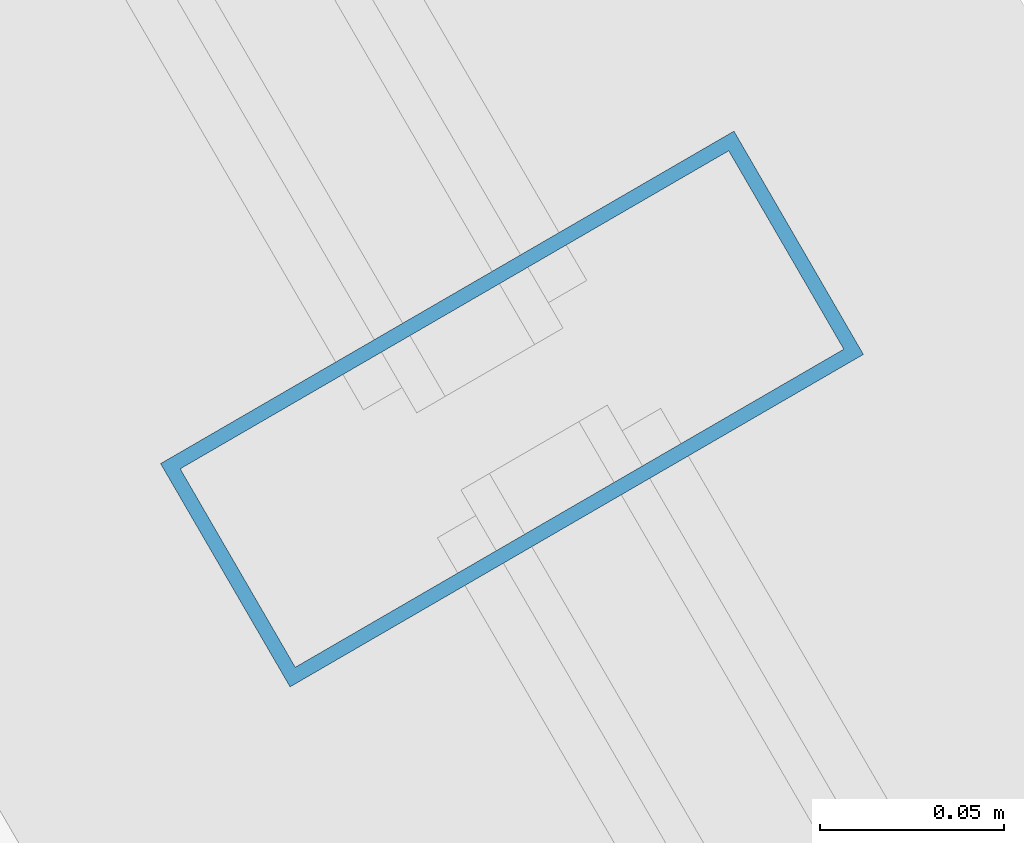
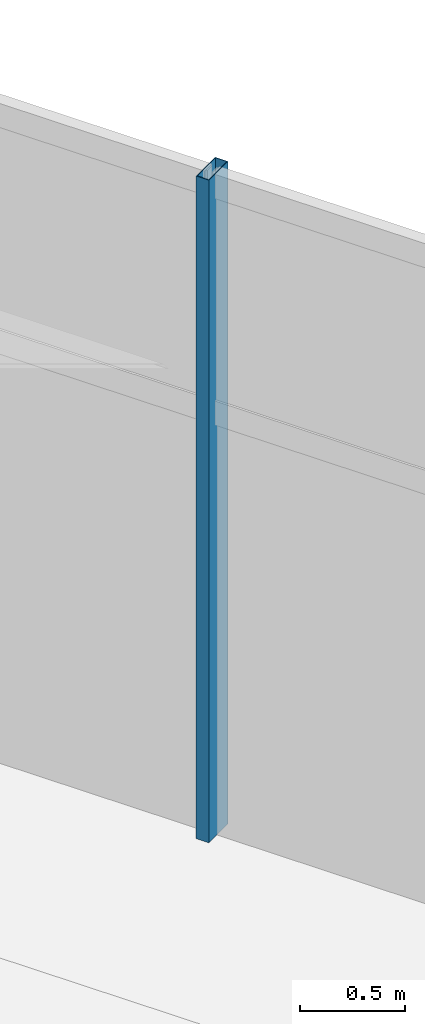
# One storey, part 89 of 156: 1 member, 1 element without a shape of its own.
"""IFC4 building model written with IfcOpenShell, lengths in metres."""

from ifc_helpers import new_model, si_unit, direction, frame, origin, origin_2d, place, context, subcontext, project, spatial, hollow_rectangle, extrude, material, layer, layer_set, material_profile, profile_set, type_object, element, aggregate, save


model = new_model("IFC4")

# Units and contexts
model_context = context("Model", 3, precision=1e-05, world=origin(), true_north=direction((0.0, 1.0)))
body_context = subcontext(model_context, "Body", "Model", "MODEL_VIEW")
ifc_project = project(units=[si_unit("LENGTHUNIT", "METRE"), si_unit("AREAUNIT", "SQUARE_METRE"), si_unit("VOLUMEUNIT", "CUBIC_METRE"), si_unit("PLANEANGLEUNIT", "RADIAN"), si_unit("MASSUNIT", "GRAM", prefix="KILO")], contexts=[model_context])

# Site, building, storey
site_placement = place(None, origin())
site = spatial("IfcSite", under=ifc_project, at=site_placement, CompositionType="ELEMENT")
building_placement = place(site_placement, origin())
building = spatial("IfcBuilding", under=site, at=building_placement, Name="Kazemori Nagisa Stadium", CompositionType="ELEMENT")
storey_placement = place(building_placement, frame((0.0, 0.0, 5.780029296875)))
storey = spatial("IfcBuildingStorey", under=building, at=storey_placement, Name="L01", CompositionType="ELEMENT", Elevation=5.780029296875)

# Curtain wall, member
ifc_material_1 = material(Name="Anodised aluminium 6063-T5", Category="aluminium")
ifc_layer = layer(ifc_material_1, 0.179931640625, Name="Anodised aluminium 6063-T5", Category="aluminium")
ifc_layer_set = layer_set([ifc_layer], Name="Anodised aluminium 6063-T5")
curtain_wall_type = type_object("IfcCurtainWallType", Name="CW_L01R3_99", PredefinedType="USERDEFINED", material=ifc_layer_set)
curtain_wall_placement = place(storey_placement, origin())
curtain_wall = element("IfcCurtainWall", 1, at=curtain_wall_placement, inside=storey, type_object=curtain_wall_type, Name="Unitised curtain wall CW-L01R3-99 L01", ObjectType="UNITISED CURTAIN WALL", PredefinedType="USERDEFINED")
ifc_material_2 = material(Name="Aluminium 6063-T5 anodised", Category="aluminium")
ifc_material_profile = material_profile(ifc_material_2, hollow_rectangle(XDim=0.070068359375, YDim=0.179931640625, WallThickness=0.00390625, at=origin_2d()), Name="ALU-MULL-70x180x4")
ifc_profile_set = profile_set([ifc_material_profile], Name="Aluminium 6063-T5 anodised")
member_type = type_object("IfcMemberType", Name="Mullion_M01", PredefinedType="MULLION", material=ifc_profile_set)
member_placement = place(storey_placement, frame((208.34228515625, 146.859130859375, 0.0), z_axis=(0.0, 0.0, 1.0), x_axis=(-0.501611590054, 0.865092950337, 0.0)))
member = element("IfcMember", 2, at=member_placement, type_object=member_type, Name="Curtain wall mullion CW-L01R3-99-M2", PredefinedType="MULLION", context=body_context, shape_type="SweptSolid", body=[
    extrude(hollow_rectangle(XDim=0.070068359375, YDim=0.179931640625, WallThickness=0.00390625, at=origin_2d()), origin(), (0.0, 0.0, 1.0), 3.849853515625),
])
aggregate(curtain_wall, [member])

save(model, "model.ifc")
